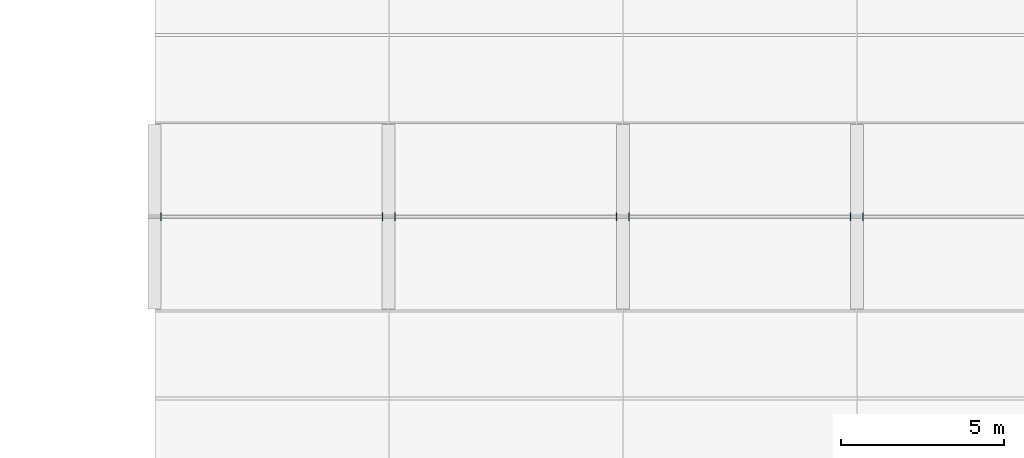
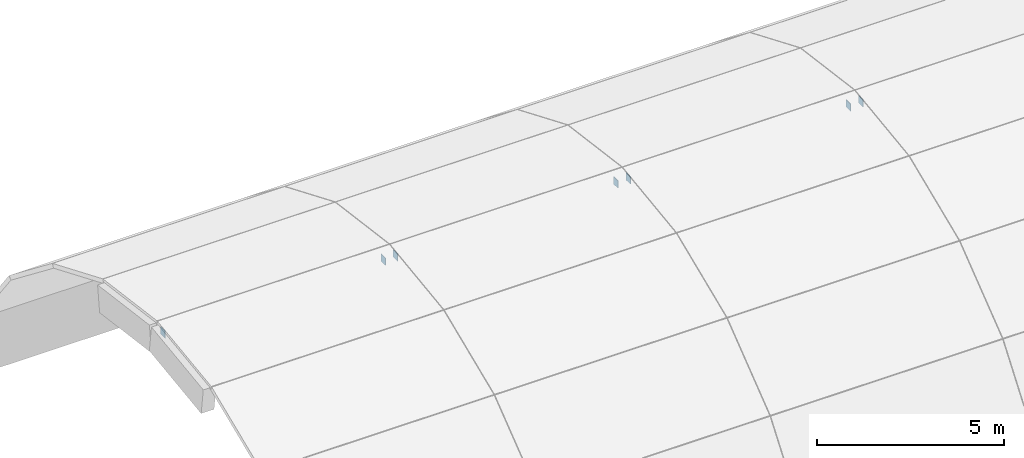
# One storey, part 20 of 51: 7 plates.
"""IFC4 building model written with IfcOpenShell, lengths in metres."""

from ifc_helpers import new_model, si_unit, direction, frame, origin, origin_2d, place, context, subcontext, project, spatial, rectangle, extrude, material, layer, layer_set, type_object, element, save


model = new_model("IFC4")

# Units and contexts
model_context = context("Model", 3, precision=1e-05, world=origin(), true_north=direction((0.0, 1.0)))
body_context = subcontext(model_context, "Body", "Model", "MODEL_VIEW")
ifc_project = project(units=[si_unit("LENGTHUNIT", "METRE"), si_unit("AREAUNIT", "SQUARE_METRE"), si_unit("VOLUMEUNIT", "CUBIC_METRE"), si_unit("PLANEANGLEUNIT", "RADIAN"), si_unit("MASSUNIT", "GRAM", prefix="KILO")], contexts=[model_context])

# Site, building, storey
site_placement = place(None, origin())
site = spatial("IfcSite", under=ifc_project, at=site_placement, CompositionType="ELEMENT")
building_placement = place(site_placement, origin())
building = spatial("IfcBuilding", under=site, at=building_placement, Name="Ochrevale Crest", CompositionType="ELEMENT")
storey_placement = place(building_placement, frame((0.0, 0.0, 11.85009765625)))
storey = spatial("IfcBuildingStorey", under=building, at=storey_placement, Name="L03", CompositionType="ELEMENT", Elevation=11.85009765625)

# Plates
ifc_material = material(Name="Steel S355", Category="steel")
ifc_layer = layer(ifc_material, 0.01611328125)
ifc_layer_set = layer_set([ifc_layer], Name="Steel S355")
plate_type = type_object("IfcPlateType", Name="PLT-CAP-16", PredefinedType="USERDEFINED", material=ifc_layer_set)
for number, where, z_axis, x_axis, name in (
    (1, (57.7919921875, 54.0, 0.794921875), (0.0, 0.0, 1.0), (1.0, 0.0, 0.0), "Vault longitudinal steel purlin B1-5 welded end cap plate CS"),
    (2, (64.60791015625, 54.0, 0.794921875), (0.0, 0.0, 1.0), (1.0, 0.0, 0.0), "Vault longitudinal steel purlin B1-5 welded end cap plate CE"),
    (3, (64.991943359375, 54.0, 0.794921875), (0.0, 0.0, 1.0), (1.0, 0.0, 0.0), "Vault longitudinal steel purlin B2-5 welded end cap plate CS"),
    (4, (71.80810546875, 54.0, 0.794921875), (0.0, 0.0, 1.0), (1.0, 0.0, 0.0), "Vault longitudinal steel purlin B2-5 welded end cap plate CE"),
    (5, (72.19189453125, 54.0, 0.794921875), (0.0, 0.0, 1.0), (1.0, 0.0, 0.0), "Vault longitudinal steel purlin B3-5 welded end cap plate CS"),
    (6, (79.008056640625, 54.0, 0.794921875), (0.0, 0.0, 1.0), (1.0, 0.0, 0.0), "Vault longitudinal steel purlin B3-5 welded end cap plate CE"),
    (7, (79.39208984375, 54.0, 0.794921875), (0.0, 0.0, 1.0), (1.0, 0.0, 0.0), "Vault longitudinal steel purlin B4-5 welded end cap plate CS"),
):
    element("IfcPlate", number, at=place(storey_placement, frame(where, z_axis=z_axis, x_axis=x_axis)), inside=storey, type_object=plate_type, Name=name, ObjectType="CAP PLATE", PredefinedType="USERDEFINED", context=body_context, shape_type="SweptSolid", body=[
        extrude(rectangle(XDim=0.01611328125, YDim=0.239990234375, at=origin_2d()), origin(), (0.0, 0.0, 1.0), 0.239990234375),
    ])

save(model, "model.ifc")
